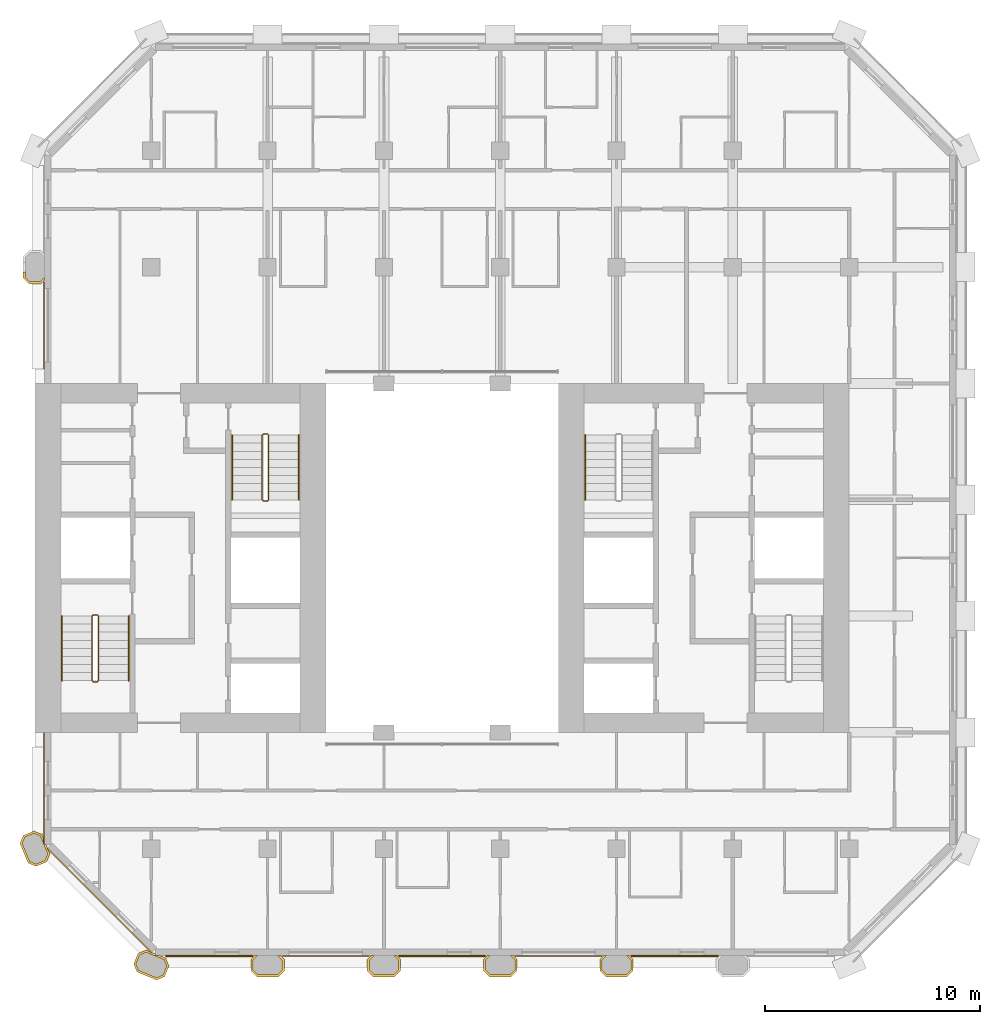
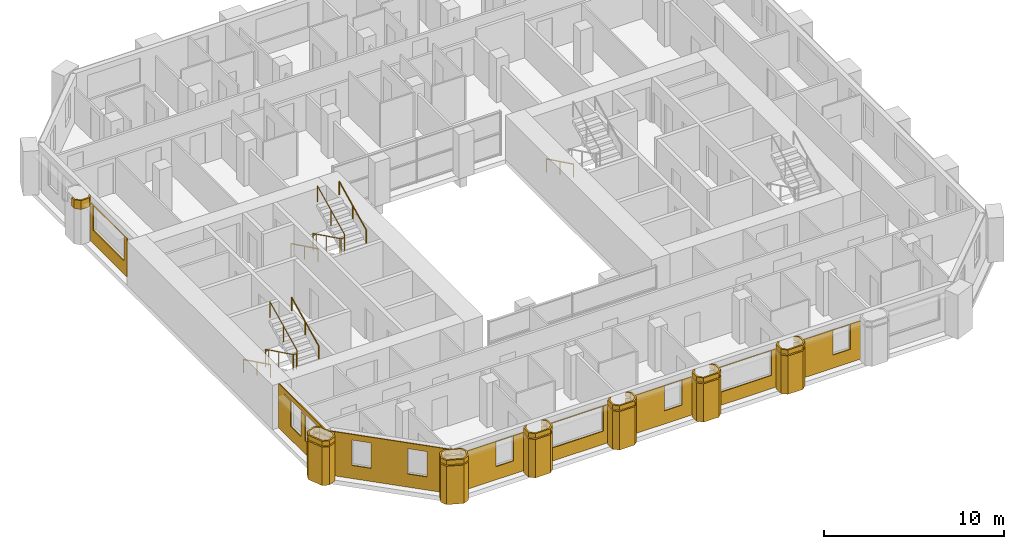
# One storey, part 11 of 13: 21 coverings, 7 railings.
"""IFC4 building model written with IfcOpenShell, lengths in metres."""

from ifc_helpers import new_model, si_unit, direction, frame, origin, origin_2d, place, context, subcontext, project, spatial, polyline, circle, outline, extrude, material, layer, layer_set, type_object, element, save


model = new_model("IFC4")

# Units and contexts
model_context = context("Model", 3, precision=1e-05, world=origin(), true_north=direction((0.0, 1.0)))
body_context = subcontext(model_context, "Body", "Model", "MODEL_VIEW")
ifc_project = project(units=[si_unit("LENGTHUNIT", "METRE"), si_unit("AREAUNIT", "SQUARE_METRE"), si_unit("VOLUMEUNIT", "CUBIC_METRE"), si_unit("PLANEANGLEUNIT", "RADIAN"), si_unit("MASSUNIT", "GRAM", prefix="KILO")], contexts=[model_context])

# Site, building, storey
site_placement = place(None, origin())
site = spatial("IfcSite", under=ifc_project, at=site_placement, CompositionType="ELEMENT")
building_placement = place(site_placement, origin())
building = spatial("IfcBuilding", under=site, at=building_placement, Name="Tabaq Tower and Sports Hall", CompositionType="ELEMENT")
storey_placement = place(building_placement, frame((0.0, 0.0, 203.800048828125)))
storey = spatial("IfcBuildingStorey", under=building, at=storey_placement, Name="L50", CompositionType="ELEMENT", Elevation=203.800048828125)

# Coverings
ifc_material_1 = material(Name="Precast concrete C60/75", Category="concrete")
ifc_layer_1 = layer(ifc_material_1, 0.10009765625)
ifc_layer_set_1 = layer_set([ifc_layer_1], Name="Column cladding 100")
covering_type_1 = type_object("IfcCoveringType", Name="Column cladding 100", PredefinedType="CLADDING", material=ifc_layer_set_1)
covering_1_placement = place(storey_placement, origin())
element("IfcCovering", 1, at=covering_1_placement, inside=storey, type_object=covering_type_1, Name="Column cladding L50 PC-2C-H2", PredefinedType="CLADDING", context=body_context, shape_type="SweptSolid", body=[
    extrude(outline(polyline([(5.450439453125, 9.982421875), (5.080078125, 10.1357421875), (4.7041015625, 11.04345703125), (4.857421875, 11.413818359375), (5.349609375, 11.61767578125), (5.7197265625, 11.46435546875), (5.789794921875, 11.295654296875), (5.789794921875, 11.04296875), (5.849609375, 11.04296875), (5.849609375, 10.986083984375), (5.91796875, 10.986083984375), (5.9814453125, 10.83251953125), (5.9501953125, 10.801025390625), (6.026123046875, 10.72509765625), (6.095947265625, 10.556396484375), (5.9423828125, 10.186279296875), (5.450439453125, 9.982421875)]), holes=[polyline([(5.349609375, 11.510009765625), (4.93359375, 11.337646484375), (4.811767578125, 11.04345703125), (5.15625, 10.2119140625), (5.450439453125, 10.08984375), (5.866455078125, 10.26220703125), (5.98828125, 10.556396484375), (5.643798828125, 11.38818359375), (5.349609375, 11.510009765625)])]), origin(), (0.0, 0.0, 1.0), 2.599853515625),
])
covering_2_placement = place(storey_placement, frame((0.0, 0.0, 2.699951171875)))
element("IfcCovering", 2, at=covering_2_placement, inside=storey, type_object=covering_type_1, Name="Column cladding L50 PC-2C-H2 2", PredefinedType="CLADDING", context=body_context, shape_type="SweptSolid", body=[
    extrude(outline(polyline([(5.450439453125, 9.982421875), (5.080078125, 10.1357421875), (4.7041015625, 11.04345703125), (4.857421875, 11.413818359375), (5.349609375, 11.61767578125), (5.7197265625, 11.46435546875), (5.789794921875, 11.295654296875), (5.789794921875, 11.04296875), (5.849609375, 11.04296875), (5.849609375, 10.986083984375), (5.91796875, 10.986083984375), (5.9814453125, 10.83251953125), (5.9501953125, 10.801025390625), (6.026123046875, 10.72509765625), (6.095947265625, 10.556396484375), (5.9423828125, 10.186279296875), (5.450439453125, 9.982421875)]), holes=[polyline([(5.349609375, 11.510009765625), (4.93359375, 11.337646484375), (4.811767578125, 11.04345703125), (5.15625, 10.2119140625), (5.450439453125, 10.08984375), (5.866455078125, 10.26220703125), (5.98828125, 10.556396484375), (5.643798828125, 11.38818359375), (5.349609375, 11.510009765625)])]), origin(), (0.0, 0.0, 1.0), 0.300048828125),
])
covering_3_placement = place(storey_placement, frame((0.0, 0.0, 2.39990234375)))
element("IfcCovering", 3, at=covering_3_placement, inside=storey, type_object=covering_type_1, Name="Column cladding L50 PC-2H-H2 head", PredefinedType="CLADDING", context=body_context, shape_type="SweptSolid", body=[
    extrude(outline(polyline([(4.850341796875, 37.30859375), (4.850341796875, 37.57470703125), (4.94970703125, 37.57470703125), (4.94970703125, 37.349853515625), (5.1748046875, 37.124755859375), (5.625244140625, 37.124755859375), (5.849609375, 37.349365234375), (5.849609375, 37.208740234375), (5.666259765625, 37.025390625), (5.1337890625, 37.025390625), (4.850341796875, 37.30859375)])), origin(), (0.0, 0.0, 1.0), 0.60009765625),
])
covering_4_placement = place(storey_placement, origin())
element("IfcCovering", 4, at=covering_4_placement, inside=storey, type_object=covering_type_1, Name="Column cladding L50 PC-3B-H2", PredefinedType="CLADDING", context=body_context, shape_type="SweptSolid", body=[
    extrude(outline(polyline([(11.413818359375, 4.857421875), (11.04345703125, 4.7041015625), (10.1357421875, 5.080078125), (9.982421875, 5.450439453125), (10.186279296875, 5.9423828125), (10.556396484375, 6.095947265625), (10.72509765625, 6.026123046875), (10.801025390625, 5.9501953125), (10.83251953125, 5.9814453125), (10.986083984375, 5.91796875), (10.986083984375, 5.849609375), (11.15087890625, 5.849609375), (11.46435546875, 5.7197265625), (11.61767578125, 5.349609375), (11.413818359375, 4.857421875)]), holes=[polyline([(10.26220703125, 5.866455078125), (10.08984375, 5.450439453125), (10.2119140625, 5.15625), (11.04345703125, 4.811767578125), (11.337646484375, 4.93359375), (11.510009765625, 5.349609375), (11.38818359375, 5.643798828125), (10.556396484375, 5.98828125), (10.26220703125, 5.866455078125)])]), origin(), (0.0, 0.0, 1.0), 2.599853515625),
])
covering_5_placement = place(storey_placement, frame((0.0, 0.0, 2.699951171875)))
element("IfcCovering", 5, at=covering_5_placement, inside=storey, type_object=covering_type_1, Name="Column cladding L50 PC-3B-H2 2", PredefinedType="CLADDING", context=body_context, shape_type="SweptSolid", body=[
    extrude(outline(polyline([(11.413818359375, 4.857421875), (11.04345703125, 4.7041015625), (10.1357421875, 5.080078125), (9.982421875, 5.450439453125), (10.186279296875, 5.9423828125), (10.556396484375, 6.095947265625), (10.72509765625, 6.026123046875), (10.801025390625, 5.9501953125), (10.83251953125, 5.9814453125), (10.986083984375, 5.91796875), (10.986083984375, 5.849609375), (11.15087890625, 5.849609375), (11.46435546875, 5.7197265625), (11.61767578125, 5.349609375), (11.413818359375, 4.857421875)]), holes=[polyline([(10.26220703125, 5.866455078125), (10.08984375, 5.450439453125), (10.2119140625, 5.15625), (11.04345703125, 4.811767578125), (11.337646484375, 4.93359375), (11.510009765625, 5.349609375), (11.38818359375, 5.643798828125), (10.556396484375, 5.98828125), (10.26220703125, 5.866455078125)])]), origin(), (0.0, 0.0, 1.0), 0.300048828125),
])
covering_6_placement = place(storey_placement, origin())
element("IfcCovering", 6, at=covering_6_placement, inside=storey, type_object=covering_type_1, Name="Column cladding L50 PC-4B-H2", PredefinedType="CLADDING", context=body_context, shape_type="SweptSolid", body=[
    extrude(outline(polyline([(15.42529296875, 5.666259765625), (15.608642578125, 5.849609375), (15.749267578125, 5.849609375), (15.524658203125, 5.625244140625), (15.524658203125, 5.1748046875), (15.749755859375, 4.94970703125), (16.650146484375, 4.94970703125), (16.875244140625, 5.1748046875), (16.875244140625, 5.625244140625), (16.650634765625, 5.849609375), (16.791259765625, 5.849609375), (16.974609375, 5.666259765625), (16.974609375, 5.1337890625), (16.69140625, 4.850341796875), (15.708740234375, 4.850341796875), (15.42529296875, 5.1337890625), (15.42529296875, 5.666259765625)])), origin(), (0.0, 0.0, 1.0), 2.599853515625),
])
covering_7_placement = place(storey_placement, frame((0.0, 0.0, 2.699951171875)))
element("IfcCovering", 7, at=covering_7_placement, inside=storey, type_object=covering_type_1, Name="Column cladding L50 PC-4B-H2 2", PredefinedType="CLADDING", context=body_context, shape_type="SweptSolid", body=[
    extrude(outline(polyline([(15.42529296875, 5.666259765625), (15.608642578125, 5.849609375), (15.749267578125, 5.849609375), (15.524658203125, 5.625244140625), (15.524658203125, 5.1748046875), (15.749755859375, 4.94970703125), (16.650146484375, 4.94970703125), (16.875244140625, 5.1748046875), (16.875244140625, 5.625244140625), (16.650634765625, 5.849609375), (16.791259765625, 5.849609375), (16.974609375, 5.666259765625), (16.974609375, 5.1337890625), (16.69140625, 4.850341796875), (15.708740234375, 4.850341796875), (15.42529296875, 5.1337890625), (15.42529296875, 5.666259765625)])), origin(), (0.0, 0.0, 1.0), 0.300048828125),
])
covering_8_placement = place(storey_placement, origin())
element("IfcCovering", 8, at=covering_8_placement, inside=storey, type_object=covering_type_1, Name="Column cladding L50 PC-5B-H2", PredefinedType="CLADDING", context=body_context, shape_type="SweptSolid", body=[
    extrude(outline(polyline([(20.8251953125, 5.666259765625), (21.0087890625, 5.849609375), (21.149169921875, 5.849609375), (20.9248046875, 5.625244140625), (20.9248046875, 5.1748046875), (21.14990234375, 4.94970703125), (22.050048828125, 4.94970703125), (22.275390625, 5.1748046875), (22.275390625, 5.625244140625), (22.05078125, 5.849609375), (22.19140625, 5.849609375), (22.374755859375, 5.666259765625), (22.374755859375, 5.1337890625), (22.09130859375, 4.850341796875), (21.108642578125, 4.850341796875), (20.8251953125, 5.1337890625), (20.8251953125, 5.666259765625)])), origin(), (0.0, 0.0, 1.0), 2.599853515625),
])
covering_9_placement = place(storey_placement, frame((0.0, 0.0, 2.699951171875)))
element("IfcCovering", 9, at=covering_9_placement, inside=storey, type_object=covering_type_1, Name="Column cladding L50 PC-5B-H2 2", PredefinedType="CLADDING", context=body_context, shape_type="SweptSolid", body=[
    extrude(outline(polyline([(20.8251953125, 5.666259765625), (21.0087890625, 5.849609375), (21.149169921875, 5.849609375), (20.9248046875, 5.625244140625), (20.9248046875, 5.1748046875), (21.14990234375, 4.94970703125), (22.050048828125, 4.94970703125), (22.275390625, 5.1748046875), (22.275390625, 5.625244140625), (22.05078125, 5.849609375), (22.19140625, 5.849609375), (22.374755859375, 5.666259765625), (22.374755859375, 5.1337890625), (22.09130859375, 4.850341796875), (21.108642578125, 4.850341796875), (20.8251953125, 5.1337890625), (20.8251953125, 5.666259765625)])), origin(), (0.0, 0.0, 1.0), 0.300048828125),
])
covering_10_placement = place(storey_placement, origin())
element("IfcCovering", 10, at=covering_10_placement, inside=storey, type_object=covering_type_1, Name="Column cladding L50 PC-6B-H2", PredefinedType="CLADDING", context=body_context, shape_type="SweptSolid", body=[
    extrude(outline(polyline([(26.225341796875, 5.666259765625), (26.40869140625, 5.849609375), (26.54931640625, 5.849609375), (26.32470703125, 5.625244140625), (26.32470703125, 5.1748046875), (26.5498046875, 4.94970703125), (27.4501953125, 4.94970703125), (27.67529296875, 5.1748046875), (27.67529296875, 5.625244140625), (27.45068359375, 5.849609375), (27.59130859375, 5.849609375), (27.774658203125, 5.666259765625), (27.774658203125, 5.1337890625), (27.4912109375, 4.850341796875), (26.5087890625, 4.850341796875), (26.225341796875, 5.1337890625), (26.225341796875, 5.666259765625)])), origin(), (0.0, 0.0, 1.0), 2.599853515625),
])
covering_11_placement = place(storey_placement, frame((0.0, 0.0, 2.699951171875)))
element("IfcCovering", 11, at=covering_11_placement, inside=storey, type_object=covering_type_1, Name="Column cladding L50 PC-6B-H2 2", PredefinedType="CLADDING", context=body_context, shape_type="SweptSolid", body=[
    extrude(outline(polyline([(26.225341796875, 5.666259765625), (26.40869140625, 5.849609375), (26.54931640625, 5.849609375), (26.32470703125, 5.625244140625), (26.32470703125, 5.1748046875), (26.5498046875, 4.94970703125), (27.4501953125, 4.94970703125), (27.67529296875, 5.1748046875), (27.67529296875, 5.625244140625), (27.45068359375, 5.849609375), (27.59130859375, 5.849609375), (27.774658203125, 5.666259765625), (27.774658203125, 5.1337890625), (27.4912109375, 4.850341796875), (26.5087890625, 4.850341796875), (26.225341796875, 5.1337890625), (26.225341796875, 5.666259765625)])), origin(), (0.0, 0.0, 1.0), 0.300048828125),
])
covering_12_placement = place(storey_placement, origin())
element("IfcCovering", 12, at=covering_12_placement, inside=storey, type_object=covering_type_1, Name="Column cladding L50 PC-7B-H2", PredefinedType="CLADDING", context=body_context, shape_type="SweptSolid", body=[
    extrude(outline(polyline([(31.625244140625, 5.666259765625), (31.80859375, 5.849609375), (31.94921875, 5.849609375), (31.724609375, 5.625244140625), (31.724609375, 5.1748046875), (31.949951171875, 4.94970703125), (32.85009765625, 4.94970703125), (33.0751953125, 5.1748046875), (33.0751953125, 5.625244140625), (32.850830078125, 5.849609375), (32.9912109375, 5.849609375), (33.1748046875, 5.666259765625), (33.1748046875, 5.1337890625), (32.891357421875, 4.850341796875), (31.90869140625, 4.850341796875), (31.625244140625, 5.1337890625), (31.625244140625, 5.666259765625)])), origin(), (0.0, 0.0, 1.0), 2.599853515625),
])
covering_13_placement = place(storey_placement, frame((0.0, 0.0, 2.699951171875)))
element("IfcCovering", 13, at=covering_13_placement, inside=storey, type_object=covering_type_1, Name="Column cladding L50 PC-7B-H2 2", PredefinedType="CLADDING", context=body_context, shape_type="SweptSolid", body=[
    extrude(outline(polyline([(31.625244140625, 5.666259765625), (31.80859375, 5.849609375), (31.94921875, 5.849609375), (31.724609375, 5.625244140625), (31.724609375, 5.1748046875), (31.949951171875, 4.94970703125), (32.85009765625, 4.94970703125), (33.0751953125, 5.1748046875), (33.0751953125, 5.625244140625), (32.850830078125, 5.849609375), (32.9912109375, 5.849609375), (33.1748046875, 5.666259765625), (33.1748046875, 5.1337890625), (32.891357421875, 4.850341796875), (31.90869140625, 4.850341796875), (31.625244140625, 5.1337890625), (31.625244140625, 5.666259765625)])), origin(), (0.0, 0.0, 1.0), 0.300048828125),
])

# Railings
ifc_material_2 = material(Name="Stainless steel", Category="steel")
railing_type_1 = type_object("IfcRailingType", Name="Stair guard", PredefinedType="GUARDRAIL", material=ifc_material_2)
railing_1_placement = place(storey_placement, frame((8.300048828125, 21.64990234375, 0.0)))
element("IfcRailing", 14, at=railing_1_placement, inside=storey, type_object=railing_type_1, Name="L50 ST1 stair guard 1", PredefinedType="GUARDRAIL", context=body_context, shape_type="SweptSolid", body=[
    extrude(circle(Radius=0.02392578125, at=origin_2d()), frame((0.0, 0.0, 1.076171875), z_axis=(-1.0, 0.0, 0.0), x_axis=(0.0, -1.0, 0.0)), (0.0, 0.0, 1.0), 0.199951171875),
    extrude(circle(Radius=0.02392578125, at=origin_2d()), frame((-0.199951171875, 0.0, 1.076171875), z_axis=(-0.254733673405, -0.25349107012, 0.933195066962), x_axis=(0.705375805398, -0.708833529934, 0.0)), (0.0, 0.0, 1.0), 0.196533203125),
    extrude(circle(Radius=0.02392578125, at=origin_2d()), frame((-0.25, -0.0498046875, 1.25927734375), z_axis=(0.0, -0.898397823093, 0.439182594671), x_axis=(1.0, 0.0, 0.0)), (0.0, 0.0, 1.0), 3.33935546875),
    extrude(circle(Radius=0.02392578125, at=origin_2d()), frame((-0.25, -3.0498046875, 2.72607421875), z_axis=(0.707106781187, -0.707106781187, 0.0), x_axis=(0.707106781187, 0.707106781187, 0.0)), (0.0, 0.0, 1.0), 0.07080078125),
    extrude(circle(Radius=0.02392578125, at=origin_2d()), frame((-0.199951171875, -3.099853515625, 2.72607421875), z_axis=(1.0, 0.0, 0.0), x_axis=(0.0, 1.0, 0.0)), (0.0, 0.0, 1.0), 0.199951171875),
    extrude(circle(Radius=0.02392578125, at=origin_2d()), frame((0.0, -3.099853515625, 2.72607421875), z_axis=(0.254653276557, 0.254653276557, 0.932900539971), x_axis=(-0.707106781187, 0.707106781187, 0.0)), (0.0, 0.0, 1.0), 0.196533203125),
    extrude(circle(Radius=0.02392578125, at=origin_2d()), frame((0.050048828125, -3.0498046875, 2.9091796875), z_axis=(0.0, 0.898368975038, 0.439241601728), x_axis=(-1.0, 0.0, 0.0)), (0.0, 0.0, 1.0), 3.33935546875),
    extrude(circle(Radius=0.02099609375, at=origin_2d()), origin(), (0.0, 0.0, 1.0), 1.052001953125),
    extrude(circle(Radius=0.02099609375, at=origin_2d()), frame((-0.199951171875, 0.0, 0.0)), (0.0, 0.0, 1.0), 1.052001953125),
    extrude(circle(Radius=0.02099609375, at=origin_2d()), frame((-0.25, -0.0498046875, 0.183349609375)), (0.0, 0.0, 1.0), 1.052001953125),
    extrude(circle(Radius=0.02099609375, at=origin_2d()), frame((-0.25, -1.5498046875, 0.91650390625)), (0.0, 0.0, 1.0), 1.052001953125),
    extrude(circle(Radius=0.02099609375, at=origin_2d()), frame((-0.25, -3.0498046875, 1.64990234375)), (0.0, 0.0, 1.0), 1.052001953125),
    extrude(circle(Radius=0.02099609375, at=origin_2d()), frame((-0.199951171875, -3.099853515625, 1.64990234375)), (0.0, 0.0, 1.0), 1.052001953125),
    extrude(circle(Radius=0.02099609375, at=origin_2d()), frame((0.0, -3.099853515625, 1.64990234375)), (0.0, 0.0, 1.0), 1.052001953125),
    extrude(circle(Radius=0.02099609375, at=origin_2d()), frame((0.050048828125, -3.0498046875, 1.833251953125)), (0.0, 0.0, 1.0), 1.052001953125),
    extrude(circle(Radius=0.02099609375, at=origin_2d()), frame((0.050048828125, -1.5498046875, 2.566650390625)), (0.0, 0.0, 1.0), 1.052001953125),
    extrude(circle(Radius=0.02099609375, at=origin_2d()), frame((0.050048828125, -0.0498046875, 3.300048828125)), (0.0, 0.0, 1.0), 1.052001953125),
])
railing_2_placement = place(storey_placement, frame((16.199951171875, 30.050048828125, 0.0)))
element("IfcRailing", 15, at=railing_2_placement, inside=storey, type_object=railing_type_1, Name="L50 ST2 stair guard 1", PredefinedType="GUARDRAIL", context=body_context, shape_type="SweptSolid", body=[
    extrude(circle(Radius=0.02392578125, at=origin_2d()), frame((0.0, 0.0, 1.076171875), z_axis=(-1.0, 0.0, 0.0), x_axis=(0.0, -1.0, 0.0)), (0.0, 0.0, 1.0), 0.199951171875),
    extrude(circle(Radius=0.02392578125, at=origin_2d()), frame((-0.199951171875, 0.0, 1.076171875), z_axis=(-0.254653276557, -0.254653276557, 0.932900539971), x_axis=(0.707106781187, -0.707106781187, 0.0)), (0.0, 0.0, 1.0), 0.196533203125),
    extrude(circle(Radius=0.02392578125, at=origin_2d()), frame((-0.25, -0.050048828125, 1.25927734375), z_axis=(0.0, -0.898397823093, 0.439182594671), x_axis=(1.0, 0.0, 0.0)), (0.0, 0.0, 1.0), 3.33935546875),
    extrude(circle(Radius=0.02392578125, at=origin_2d()), frame((-0.25, -3.050048828125, 2.72607421875), z_axis=(0.707106781187, -0.707106781187, 0.0), x_axis=(0.707106781187, 0.707106781187, 0.0)), (0.0, 0.0, 1.0), 0.07080078125),
    extrude(circle(Radius=0.02392578125, at=origin_2d()), frame((-0.199951171875, -3.10009765625, 2.72607421875), z_axis=(1.0, 0.0, 0.0), x_axis=(0.0, 1.0, 0.0)), (0.0, 0.0, 1.0), 0.199951171875),
    extrude(circle(Radius=0.02392578125, at=origin_2d()), frame((0.0, -3.10009765625, 2.72607421875), z_axis=(0.254653276557, 0.254653276557, 0.932900539971), x_axis=(-0.707106781187, 0.707106781187, 0.0)), (0.0, 0.0, 1.0), 0.196533203125),
    extrude(circle(Radius=0.02392578125, at=origin_2d()), frame((0.050048828125, -3.050048828125, 2.9091796875), z_axis=(0.0, 0.898368975038, 0.439241601728), x_axis=(-1.0, 0.0, 0.0)), (0.0, 0.0, 1.0), 3.33935546875),
    extrude(circle(Radius=0.02099609375, at=origin_2d()), origin(), (0.0, 0.0, 1.0), 1.052001953125),
    extrude(circle(Radius=0.02099609375, at=origin_2d()), frame((-0.199951171875, 0.0, 0.0)), (0.0, 0.0, 1.0), 1.052001953125),
    extrude(circle(Radius=0.02099609375, at=origin_2d()), frame((-0.25, -0.050048828125, 0.183349609375)), (0.0, 0.0, 1.0), 1.052001953125),
    extrude(circle(Radius=0.02099609375, at=origin_2d()), frame((-0.25, -1.550048828125, 0.91650390625)), (0.0, 0.0, 1.0), 1.052001953125),
    extrude(circle(Radius=0.02099609375, at=origin_2d()), frame((-0.25, -3.050048828125, 1.64990234375)), (0.0, 0.0, 1.0), 1.052001953125),
    extrude(circle(Radius=0.02099609375, at=origin_2d()), frame((-0.199951171875, -3.10009765625, 1.64990234375)), (0.0, 0.0, 1.0), 1.052001953125),
    extrude(circle(Radius=0.02099609375, at=origin_2d()), frame((0.0, -3.10009765625, 1.64990234375)), (0.0, 0.0, 1.0), 1.052001953125),
    extrude(circle(Radius=0.02099609375, at=origin_2d()), frame((0.050048828125, -3.050048828125, 1.833251953125)), (0.0, 0.0, 1.0), 1.052001953125),
    extrude(circle(Radius=0.02099609375, at=origin_2d()), frame((0.050048828125, -1.550048828125, 2.566650390625)), (0.0, 0.0, 1.0), 1.052001953125),
    extrude(circle(Radius=0.02099609375, at=origin_2d()), frame((0.050048828125, -0.050048828125, 3.300048828125)), (0.0, 0.0, 1.0), 1.052001953125),
])
ifc_material_3 = material(Name="Stainless steel", Category="steel")
railing_type_2 = type_object("IfcRailingType", Name="Stair handrail", PredefinedType="HANDRAIL", material=ifc_material_3)
railing_3_placement = place(storey_placement, frame((6.64990234375, 21.60009765625, 0.183349609375)))
element("IfcRailing", 16, at=railing_3_placement, inside=storey, type_object=railing_type_2, Name="L50 ST1 stair handrail 1", PredefinedType="HANDRAIL", context=body_context, shape_type="SweptSolid", body=[
    extrude(circle(Radius=0.02392578125, at=origin_2d()), frame((0.0, 0.0, 0.8759765625), z_axis=(0.0, -0.898397823093, 0.439182594671), x_axis=(1.0, 0.0, 0.0)), (0.0, 0.0, 1.0), 3.33935546875),
    extrude(circle(Radius=0.02099609375, at=origin_2d()), origin(), (0.0, 0.0, 1.0), 0.851806640625),
    extrude(circle(Radius=0.02099609375, at=origin_2d()), frame((0.0, -1.5, 0.7333984375)), (0.0, 0.0, 1.0), 0.851806640625),
    extrude(circle(Radius=0.02099609375, at=origin_2d()), frame((0.0, -3.0, 1.466552734375)), (0.0, 0.0, 1.0), 0.851806640625),
])
railing_4_placement = place(storey_placement, frame((9.75, 18.60009765625, 1.833251953125)))
element("IfcRailing", 17, at=railing_4_placement, inside=storey, type_object=railing_type_2, Name="L50 ST1 stair handrail 2", PredefinedType="HANDRAIL", context=body_context, shape_type="SweptSolid", body=[
    extrude(circle(Radius=0.02392578125, at=origin_2d()), frame((0.0, 0.0, 0.8759765625), z_axis=(0.0, 0.898368975038, 0.439241601728), x_axis=(-1.0, 0.0, 0.0)), (0.0, 0.0, 1.0), 3.33935546875),
    extrude(circle(Radius=0.02099609375, at=origin_2d()), origin(), (0.0, 0.0, 1.0), 0.851806640625),
    extrude(circle(Radius=0.02099609375, at=origin_2d()), frame((0.0, 1.5, 0.7333984375)), (0.0, 0.0, 1.0), 0.851806640625),
    extrude(circle(Radius=0.02099609375, at=origin_2d()), frame((0.0, 3.0, 1.466796875)), (0.0, 0.0, 1.0), 0.851806640625),
])
railing_5_placement = place(storey_placement, frame((14.550048828125, 30.0, 0.183349609375)))
element("IfcRailing", 18, at=railing_5_placement, inside=storey, type_object=railing_type_2, Name="L50 ST2 stair handrail 1", PredefinedType="HANDRAIL", context=body_context, shape_type="SweptSolid", body=[
    extrude(circle(Radius=0.02392578125, at=origin_2d()), frame((0.0, 0.0, 0.8759765625), z_axis=(0.0, -0.898397823093, 0.439182594671), x_axis=(1.0, 0.0, 0.0)), (0.0, 0.0, 1.0), 3.33935546875),
    extrude(circle(Radius=0.02099609375, at=origin_2d()), origin(), (0.0, 0.0, 1.0), 0.851806640625),
    extrude(circle(Radius=0.02099609375, at=origin_2d()), frame((0.0, -1.5, 0.7333984375)), (0.0, 0.0, 1.0), 0.851806640625),
    extrude(circle(Radius=0.02099609375, at=origin_2d()), frame((0.0, -3.0, 1.466552734375)), (0.0, 0.0, 1.0), 0.851806640625),
])
railing_6_placement = place(storey_placement, frame((17.64990234375, 27.0, 1.833251953125)))
element("IfcRailing", 19, at=railing_6_placement, inside=storey, type_object=railing_type_2, Name="L50 ST2 stair handrail 2", PredefinedType="HANDRAIL", context=body_context, shape_type="SweptSolid", body=[
    extrude(circle(Radius=0.02392578125, at=origin_2d()), frame((0.0, 0.0, 0.8759765625), z_axis=(0.0, 0.898368975038, 0.439241601728), x_axis=(-1.0, 0.0, 0.0)), (0.0, 0.0, 1.0), 3.33935546875),
    extrude(circle(Radius=0.02099609375, at=origin_2d()), origin(), (0.0, 0.0, 1.0), 0.851806640625),
    extrude(circle(Radius=0.02099609375, at=origin_2d()), frame((0.0, 1.5, 0.7333984375)), (0.0, 0.0, 1.0), 0.851806640625),
    extrude(circle(Radius=0.02099609375, at=origin_2d()), frame((0.0, 3.0, 1.466796875)), (0.0, 0.0, 1.0), 0.851806640625),
])
railing_7_placement = place(storey_placement, frame((30.949951171875, 30.0, 0.183349609375)))
element("IfcRailing", 20, at=railing_7_placement, inside=storey, type_object=railing_type_2, Name="L50 ST4 stair handrail 1", PredefinedType="HANDRAIL", context=body_context, shape_type="SweptSolid", body=[
    extrude(circle(Radius=0.02392578125, at=origin_2d()), frame((0.0, 0.0, 0.8759765625), z_axis=(0.0, -0.898397823093, 0.439182594671), x_axis=(1.0, 0.0, 0.0)), (0.0, 0.0, 1.0), 3.33935546875),
    extrude(circle(Radius=0.02099609375, at=origin_2d()), origin(), (0.0, 0.0, 1.0), 0.851806640625),
    extrude(circle(Radius=0.02099609375, at=origin_2d()), frame((0.0, -1.5, 0.7333984375)), (0.0, 0.0, 1.0), 0.851806640625),
    extrude(circle(Radius=0.02099609375, at=origin_2d()), frame((0.0, -3.0, 1.466552734375)), (0.0, 0.0, 1.0), 0.851806640625),
])

# Coverings
ifc_material_4 = material(Name="Precast concrete C60/75", Category="concrete")
ifc_layer_2 = layer(ifc_material_4, 0.06005859375)
ifc_layer_set_2 = layer_set([ifc_layer_2], Name="White precast cladding panel 60 C60/75")
covering_type_2 = type_object("IfcCoveringType", Name="White precast cladding panel 60 C60/75", PredefinedType="CLADDING", material=ifc_layer_set_2)
covering_14_placement = place(storey_placement, frame((11.465087890625, 5.820068359375, 0.0), z_axis=(0.0, 0.0, 1.0), x_axis=(1.0, 0.0, 0.0)))
element("IfcCovering", 21, at=covering_14_placement, inside=storey, type_object=covering_type_2, Name="White precast cladding panel L50 wall00", PredefinedType="CLADDING", context=body_context, shape_type="SweptSolid", body=[
    extrude(outline(polyline([(0.0, 0.0), (4.0498046875, 0.0), (4.0498046875, 2.58984375), (0.0, 2.58984375), (0.0, 0.0)]), holes=[polyline([(3.39501953125, 0.889892578125), (2.27490234375, 0.889892578125), (2.27490234375, 2.56005859375), (3.39501953125, 2.56005859375), (3.39501953125, 0.889892578125)])]), frame((0.0, 0.030029296875, 0.0), z_axis=(0.0, -1.0, 0.0), x_axis=(1.0, 0.0, 0.0)), (0.0, 0.0, 1.0), 0.06005859375),
])
covering_15_placement = place(storey_placement, frame((16.885009765625, 5.820068359375, 0.0), z_axis=(0.0, 0.0, 1.0), x_axis=(1.0, 0.0, 0.0)))
element("IfcCovering", 22, at=covering_15_placement, inside=storey, type_object=covering_type_2, Name="White precast cladding panel L50 wall00 2", PredefinedType="CLADDING", context=body_context, shape_type="SweptSolid", body=[
    extrude(outline(polyline([(0.0, 0.0), (4.030029296875, 0.0), (4.030029296875, 2.58984375), (0.0, 2.58984375), (0.0, 0.0)]), holes=[polyline([(3.72509765625, 0.889892578125), (0.304931640625, 0.889892578125), (0.304931640625, 2.56005859375), (3.72509765625, 2.56005859375), (3.72509765625, 0.889892578125)])]), frame((0.0, 0.030029296875, 0.0), z_axis=(0.0, -1.0, 0.0), x_axis=(1.0, 0.0, 0.0)), (0.0, 0.0, 1.0), 0.06005859375),
])
covering_16_placement = place(storey_placement, frame((22.284912109375, 5.820068359375, 0.0), z_axis=(0.0, 0.0, 1.0), x_axis=(1.0, 0.0, 0.0)))
element("IfcCovering", 23, at=covering_16_placement, inside=storey, type_object=covering_type_2, Name="White precast cladding panel L50 wall00 3", PredefinedType="CLADDING", context=body_context, shape_type="SweptSolid", body=[
    extrude(outline(polyline([(0.0, 0.0), (4.030029296875, 0.0), (4.030029296875, 2.58984375), (0.0, 2.58984375), (0.0, 0.0)]), holes=[polyline([(3.375, 0.889892578125), (2.2548828125, 0.889892578125), (2.2548828125, 2.56005859375), (3.375, 2.56005859375), (3.375, 0.889892578125)])]), frame((0.0, 0.030029296875, 0.0), z_axis=(0.0, -1.0, 0.0), x_axis=(1.0, 0.0, 0.0)), (0.0, 0.0, 1.0), 0.06005859375),
])
covering_17_placement = place(storey_placement, frame((27.68505859375, 5.820068359375, 0.0), z_axis=(0.0, 0.0, 1.0), x_axis=(1.0, 0.0, 0.0)))
element("IfcCovering", 24, at=covering_17_placement, inside=storey, type_object=covering_type_2, Name="White precast cladding panel L50 wall00 4", PredefinedType="CLADDING", context=body_context, shape_type="SweptSolid", body=[
    extrude(outline(polyline([(0.0, 0.0), (4.030029296875, 0.0), (4.030029296875, 2.58984375), (0.0, 2.58984375), (0.0, 0.0)]), holes=[polyline([(3.72509765625, 0.889892578125), (0.304931640625, 0.889892578125), (0.304931640625, 2.56005859375), (3.72509765625, 2.56005859375), (3.72509765625, 0.889892578125)])]), frame((0.0, 0.030029296875, 0.0), z_axis=(0.0, -1.0, 0.0), x_axis=(1.0, 0.0, 0.0)), (0.0, 0.0, 1.0), 0.06005859375),
])
covering_18_placement = place(storey_placement, frame((33.0849609375, 5.820068359375, 0.0), z_axis=(0.0, 0.0, 1.0), x_axis=(1.0, 0.0, 0.0)))
element("IfcCovering", 25, at=covering_18_placement, inside=storey, type_object=covering_type_2, Name="White precast cladding panel L50 wall00 5", PredefinedType="CLADDING", context=body_context, shape_type="SweptSolid", body=[
    extrude(outline(polyline([(0.0, 0.0), (4.030029296875, 0.0), (4.030029296875, 2.58984375), (0.0, 2.58984375), (0.0, 0.0)]), holes=[polyline([(3.375, 0.889892578125), (2.2548828125, 0.889892578125), (2.2548828125, 2.56005859375), (3.375, 2.56005859375), (3.375, 0.889892578125)])]), frame((0.0, 0.030029296875, 0.0), z_axis=(0.0, -1.0, 0.0), x_axis=(1.0, 0.0, 0.0)), (0.0, 0.0, 1.0), 0.06005859375),
])
covering_19_placement = place(storey_placement, frame((5.820068359375, 37.114990234375, 0.0), z_axis=(0.0, 0.0, 1.0), x_axis=(0.0, -1.0, 0.0)))
element("IfcCovering", 26, at=covering_19_placement, inside=storey, type_object=covering_type_2, Name="White precast cladding panel L50 wall06 2", PredefinedType="CLADDING", context=body_context, shape_type="SweptSolid", body=[
    extrude(outline(polyline([(0.0, 0.0), (4.050048828125, 0.0), (4.050048828125, 2.58984375), (0.0, 2.58984375), (0.0, 0.0)]), holes=[polyline([(3.72509765625, 0.889892578125), (0.304931640625, 0.889892578125), (0.304931640625, 2.56005859375), (3.72509765625, 2.56005859375), (3.72509765625, 0.889892578125)])]), frame((0.0, 0.030029296875, 0.0), z_axis=(0.0, -1.0, 0.0), x_axis=(1.0, 0.0, 0.0)), (0.0, 0.0, 1.0), 0.06005859375),
])
covering_20_placement = place(storey_placement, frame((5.820068359375, 16.199951171875, 0.0), z_axis=(0.0, 0.0, 1.0), x_axis=(0.0, -1.0, 0.0)))
element("IfcCovering", 27, at=covering_20_placement, inside=storey, type_object=covering_type_2, Name="White precast cladding panel L50 wall06-1", PredefinedType="CLADDING", context=body_context, shape_type="SweptSolid", body=[
    extrude(outline(polyline([(0.0, 0.0), (5.15673828125, 0.0), (5.15673828125, 3.0), (0.0, 3.0), (0.0, 0.0)]), holes=[polyline([(1.340087890625, 2.58984375), (0.6650390625, 2.58984375), (0.6650390625, 2.7099609375), (4.735107421875, 2.7099609375), (4.735107421875, 2.58984375), (4.06005859375, 2.58984375), (4.06005859375, 0.889892578125), (2.93994140625, 0.889892578125), (2.93994140625, 2.58984375), (2.4599609375, 2.58984375), (2.4599609375, 0.889892578125), (1.340087890625, 0.889892578125), (1.340087890625, 2.58984375)])]), frame((0.0, 0.030029296875, 0.0), z_axis=(0.0, -1.0, 0.0), x_axis=(1.0, 0.0, 0.0)), (0.0, 0.0, 1.0), 0.06005859375),
])
covering_21_placement = place(storey_placement, frame((5.9716796875, 10.822265625, 0.0), z_axis=(0.0, 0.0, 1.0), x_axis=(0.707106781187, -0.707106781187, 0.0)))
element("IfcCovering", 28, at=covering_21_placement, inside=storey, type_object=covering_type_2, Name="White precast cladding panel L50 wall07", PredefinedType="CLADDING", context=body_context, shape_type="SweptSolid", body=[
    extrude(outline(polyline([(0.0, 0.0), (6.85986328125, 0.0), (6.85986328125, 3.0), (0.0, 3.0), (0.0, 0.0)]), holes=[polyline([(1.269775390625, 2.60986328125), (2.389892578125, 2.60986328125), (2.389892578125, 0.889892578125), (1.269775390625, 0.889892578125), (1.269775390625, 2.60986328125)]), polyline([(4.4697265625, 2.60986328125), (5.58984375, 2.60986328125), (5.58984375, 0.889892578125), (4.4697265625, 0.889892578125), (4.4697265625, 2.60986328125)])]), frame((0.0, 0.030029296875, 0.0), z_axis=(0.0, -1.0, 0.0), x_axis=(1.0, 0.0, 0.0)), (0.0, 0.0, 1.0), 0.06005859375),
])

save(model, "model.ifc")
